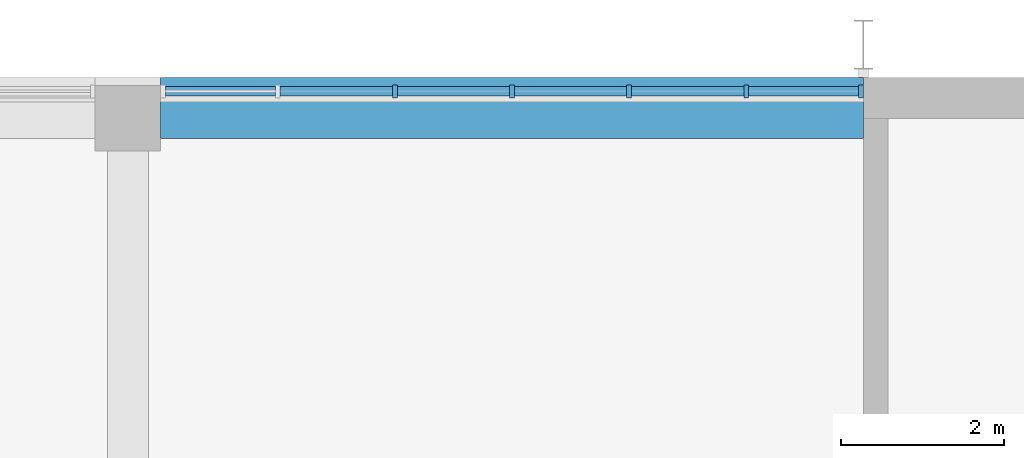
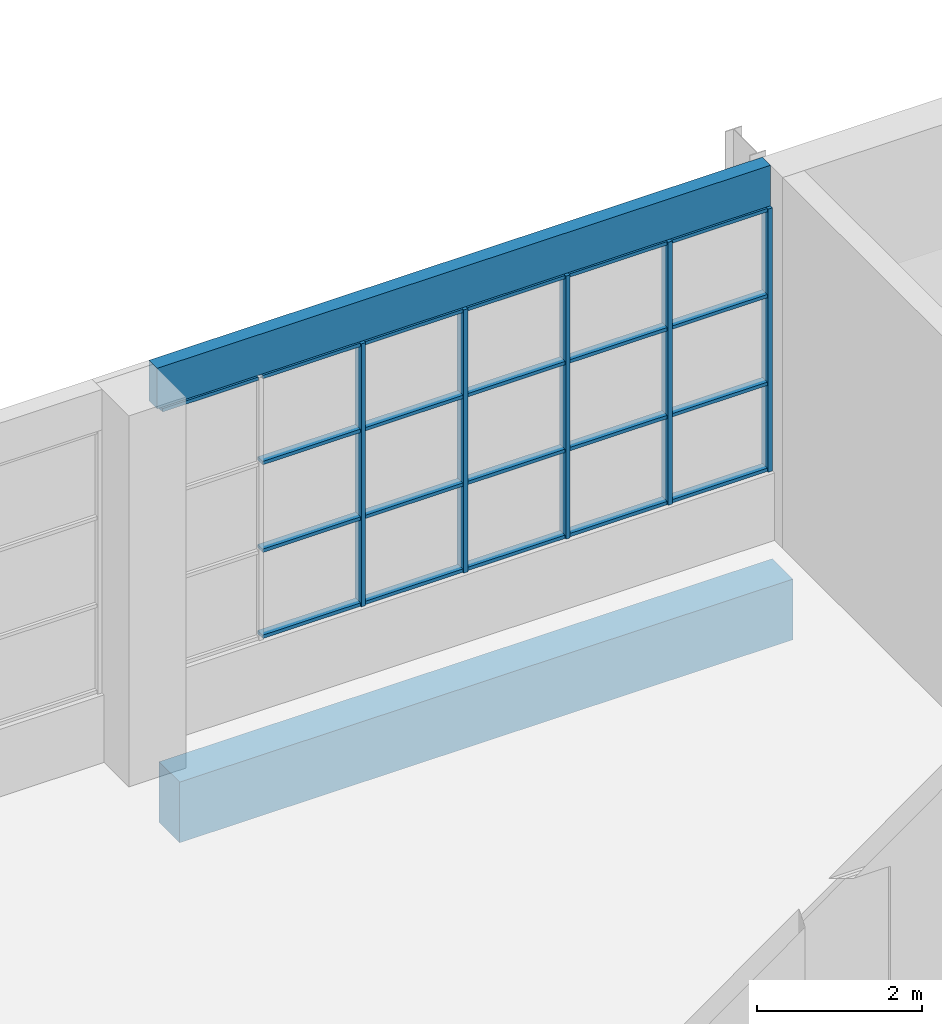
# One storey, part 19 of 84: 26 members, 2 beams, 1 element without a shape of its own.
"""IFC4 building model written with IfcOpenShell, lengths in metres."""

from ifc_helpers import new_model, si_unit, direction, frame, origin, origin_2d, place, context, subcontext, project, spatial, rectangle, extrude, material, material_profile, profile_set, type_object, element, aggregate, save


model = new_model("IFC4")

# Units and contexts
model_context = context("Model", 3, precision=1e-05, world=origin(), true_north=direction((0.0, 1.0)))
body_context = subcontext(model_context, "Body", "Model", "MODEL_VIEW")
ifc_project = project(units=[si_unit("LENGTHUNIT", "METRE"), si_unit("AREAUNIT", "SQUARE_METRE"), si_unit("VOLUMEUNIT", "CUBIC_METRE"), si_unit("PLANEANGLEUNIT", "RADIAN"), si_unit("MASSUNIT", "GRAM", prefix="KILO")], contexts=[model_context])

# Site, building, storey
site_placement = place(None, origin())
site = spatial("IfcSite", under=ifc_project, at=site_placement, CompositionType="ELEMENT")
building_placement = place(site_placement, origin())
building = spatial("IfcBuilding", under=site, at=building_placement, Name="Silverbay Arena", CompositionType="ELEMENT")
storey_placement = place(building_placement, frame((0.0, 0.0, 28.0)))
storey = spatial("IfcBuildingStorey", under=building, at=storey_placement, Name="L04", CompositionType="ELEMENT", Elevation=28.0)

# Curtain wall, members
ifc_material_1 = material(Name="Aluminium framed curtain wall", Category="aluminium")
curtain_wall_type = type_object("IfcCurtainWallType", Name="Curtain wall 8600 x 3900", PredefinedType="NOTDEFINED", material=ifc_material_1)
curtain_wall_placement = place(storey_placement, origin())
curtain_wall = element("IfcCurtainWall", 1, at=curtain_wall_placement, inside=storey, type_object=curtain_wall_type, Name="North curtain wall L04 bay 10", PredefinedType="NOTDEFINED")
ifc_material_2 = material(Name="Aluminium", Category="aluminium")
ifc_material_profile_1 = material_profile(ifc_material_2, rectangle(XDim=0.159912109375, YDim=0.06005859375, at=origin_2d()), Name="Mullion 60 x 160")
ifc_profile_set_1 = profile_set([ifc_material_profile_1], Name="Aluminium")
member_type_1 = type_object("IfcMemberType", Name="Mullion 60 x 160", PredefinedType="MULLION", material=ifc_profile_set_1)
member_1_placement = place(storey_placement, frame((143.969970703125, 144.330078125, 1.0), z_axis=(0.0, 0.0, 1.0), x_axis=(0.0, -1.0, 0.0)))
member_1 = element("IfcMember", 2, at=member_1_placement, type_object=member_type_1, Name="CW1 mullion 1", PredefinedType="MULLION", context=body_context, shape_type="SweptSolid", body=[
    extrude(rectangle(XDim=0.159912109375, YDim=0.06005859375, at=origin_2d()), origin(), (0.0, 0.0, 1.0), 3.89990234375),
])
member_2_placement = place(storey_placement, frame((142.566650390625, 144.330078125, 1.0), z_axis=(0.0, 0.0, 1.0), x_axis=(0.0, -1.0, 0.0)))
member_2 = element("IfcMember", 3, at=member_2_placement, type_object=member_type_1, Name="CW1 mullion 2", PredefinedType="MULLION", context=body_context, shape_type="SweptSolid", body=[
    extrude(rectangle(XDim=0.159912109375, YDim=0.06005859375, at=origin_2d()), origin(), (0.0, 0.0, 1.0), 3.89990234375),
])
member_3_placement = place(storey_placement, frame((141.13330078125, 144.330078125, 1.0), z_axis=(0.0, 0.0, 1.0), x_axis=(0.0, -1.0, 0.0)))
member_3 = element("IfcMember", 4, at=member_3_placement, type_object=member_type_1, Name="CW1 mullion 3", PredefinedType="MULLION", context=body_context, shape_type="SweptSolid", body=[
    extrude(rectangle(XDim=0.159912109375, YDim=0.06005859375, at=origin_2d()), origin(), (0.0, 0.0, 1.0), 3.89990234375),
])
member_4_placement = place(storey_placement, frame((139.699951171875, 144.330078125, 1.0), z_axis=(0.0, 0.0, 1.0), x_axis=(0.0, -1.0, 0.0)))
member_4 = element("IfcMember", 5, at=member_4_placement, type_object=member_type_1, Name="CW1 mullion 4", PredefinedType="MULLION", context=body_context, shape_type="SweptSolid", body=[
    extrude(rectangle(XDim=0.159912109375, YDim=0.06005859375, at=origin_2d()), origin(), (0.0, 0.0, 1.0), 3.89990234375),
])
member_5_placement = place(storey_placement, frame((138.2666015625, 144.330078125, 1.0), z_axis=(0.0, 0.0, 1.0), x_axis=(0.0, -1.0, 0.0)))
member_5 = element("IfcMember", 6, at=member_5_placement, type_object=member_type_1, Name="CW1 mullion 5", PredefinedType="MULLION", context=body_context, shape_type="SweptSolid", body=[
    extrude(rectangle(XDim=0.159912109375, YDim=0.06005859375, at=origin_2d()), origin(), (0.0, 0.0, 1.0), 3.89990234375),
])

# Beams
ifc_material_3 = material(Name="Concrete Grade C45", Category="concrete")
ifc_material_profile_2 = material_profile(ifc_material_3, rectangle(XDim=0.5, YDim=0.89990234375, at=origin_2d()), Name="RC 500x900")
ifc_profile_set_2 = profile_set([ifc_material_profile_2], Name="Concrete Grade C45")
beam_type_1 = type_object("IfcBeamType", Name="RC beam 500x900", PredefinedType="BEAM", material=ifc_profile_set_2)
beam_1_placement = place(storey_placement, frame((135.39990234375, 144.0, -0.75), z_axis=(1.0, 0.0, 0.0), x_axis=(0.0, 1.0, 0.0)))
element("IfcBeam", 7, at=beam_1_placement, inside=storey, type_object=beam_type_1, Name="Floor beam L04 075", PredefinedType="BEAM", context=body_context, shape_type="SweptSolid", body=[
    extrude(rectangle(XDim=0.5, YDim=0.89990234375, at=origin_2d()), origin(), (0.0, 0.0, 1.0), 8.60009765625),
])
ifc_material_4 = material(Name="Concrete Grade C45", Category="concrete")
ifc_material_profile_3 = material_profile(ifc_material_4, rectangle(XDim=0.199951171875, YDim=0.60009765625, at=origin_2d()), Name="RC 200x600")
ifc_profile_set_3 = profile_set([ifc_material_profile_3], Name="Concrete Grade C45")
beam_type_2 = type_object("IfcBeamType", Name="RC facade beam 200x600", PredefinedType="SPANDREL", material=ifc_profile_set_3)
beam_2_placement = place(storey_placement, frame((135.39990234375, 144.39990234375, 5.199951171875), z_axis=(1.0, 0.0, 0.0), x_axis=(0.0, 1.0, 0.0)))
element("IfcBeam", 8, at=beam_2_placement, inside=storey, type_object=beam_type_2, Name="Facade beam L04 north", PredefinedType="SPANDREL", context=body_context, shape_type="SweptSolid", body=[
    extrude(rectangle(XDim=0.199951171875, YDim=0.60009765625, at=origin_2d()), origin(), (0.0, 0.0, 1.0), 8.60009765625),
])

# Member
ifc_material_5 = material(Name="Aluminium", Category="aluminium")
ifc_material_profile_4 = material_profile(ifc_material_5, rectangle(XDim=0.1201171875, YDim=0.050048828125, at=origin_2d()), Name="Transom 50 x 120")
ifc_profile_set_4 = profile_set([ifc_material_profile_4], Name="Aluminium")
member_type_2 = type_object("IfcMemberType", Name="Transom 50 x 120", PredefinedType="USERDEFINED", material=ifc_profile_set_4)
member_6_placement = place(storey_placement, frame((143.93994140625, 144.330078125, 1.02490234375), z_axis=(-1.0, 0.0, 0.0), x_axis=(0.0, -1.0, 0.0)))
member_6 = element("IfcMember", 9, at=member_6_placement, type_object=member_type_2, Name="CW1 transom 1.1", ObjectType="TRANSOM", PredefinedType="USERDEFINED", context=body_context, shape_type="SweptSolid", body=[
    extrude(rectangle(XDim=0.1201171875, YDim=0.050048828125, at=origin_2d()), origin(), (0.0, 0.0, 1.0), 1.34326171875),
])

member_7_placement = place(storey_placement, frame((143.93994140625, 144.330078125, 2.300048828125), z_axis=(-1.0, 0.0, 0.0), x_axis=(0.0, -1.0, 0.0)))
member_7 = element("IfcMember", 10, at=member_7_placement, type_object=member_type_2, Name="CW1 transom 1.2", ObjectType="TRANSOM", PredefinedType="USERDEFINED", context=body_context, shape_type="SweptSolid", body=[
    extrude(rectangle(XDim=0.1201171875, YDim=0.050048828125, at=origin_2d()), origin(), (0.0, 0.0, 1.0), 1.34326171875),
])

member_8_placement = place(storey_placement, frame((143.93994140625, 144.330078125, 3.60009765625), z_axis=(-1.0, 0.0, 0.0), x_axis=(0.0, -1.0, 0.0)))
member_8 = element("IfcMember", 11, at=member_8_placement, type_object=member_type_2, Name="CW1 transom 1.3", ObjectType="TRANSOM", PredefinedType="USERDEFINED", context=body_context, shape_type="SweptSolid", body=[
    extrude(rectangle(XDim=0.1201171875, YDim=0.050048828125, at=origin_2d()), origin(), (0.0, 0.0, 1.0), 1.34326171875),
])

member_9_placement = place(storey_placement, frame((143.93994140625, 144.330078125, 4.875), z_axis=(-1.0, 0.0, 0.0), x_axis=(0.0, -1.0, 0.0)))
member_9 = element("IfcMember", 12, at=member_9_placement, type_object=member_type_2, Name="CW1 transom 1.4", ObjectType="TRANSOM", PredefinedType="USERDEFINED", context=body_context, shape_type="SweptSolid", body=[
    extrude(rectangle(XDim=0.1201171875, YDim=0.050048828125, at=origin_2d()), origin(), (0.0, 0.0, 1.0), 1.34326171875),
])

member_10_placement = place(storey_placement, frame((142.53662109375, 144.330078125, 1.02490234375), z_axis=(-1.0, 0.0, 0.0), x_axis=(0.0, -1.0, 0.0)))
member_10 = element("IfcMember", 13, at=member_10_placement, type_object=member_type_2, Name="CW1 transom 2.1", ObjectType="TRANSOM", PredefinedType="USERDEFINED", context=body_context, shape_type="SweptSolid", body=[
    extrude(rectangle(XDim=0.1201171875, YDim=0.050048828125, at=origin_2d()), origin(), (0.0, 0.0, 1.0), 1.373291015625),
])

member_11_placement = place(storey_placement, frame((142.53662109375, 144.330078125, 2.300048828125), z_axis=(-1.0, 0.0, 0.0), x_axis=(0.0, -1.0, 0.0)))
member_11 = element("IfcMember", 14, at=member_11_placement, type_object=member_type_2, Name="CW1 transom 2.2", ObjectType="TRANSOM", PredefinedType="USERDEFINED", context=body_context, shape_type="SweptSolid", body=[
    extrude(rectangle(XDim=0.1201171875, YDim=0.050048828125, at=origin_2d()), origin(), (0.0, 0.0, 1.0), 1.373291015625),
])

member_12_placement = place(storey_placement, frame((142.53662109375, 144.330078125, 3.60009765625), z_axis=(-1.0, 0.0, 0.0), x_axis=(0.0, -1.0, 0.0)))
member_12 = element("IfcMember", 15, at=member_12_placement, type_object=member_type_2, Name="CW1 transom 2.3", ObjectType="TRANSOM", PredefinedType="USERDEFINED", context=body_context, shape_type="SweptSolid", body=[
    extrude(rectangle(XDim=0.1201171875, YDim=0.050048828125, at=origin_2d()), origin(), (0.0, 0.0, 1.0), 1.373291015625),
])

member_13_placement = place(storey_placement, frame((142.53662109375, 144.330078125, 4.875), z_axis=(-1.0, 0.0, 0.0), x_axis=(0.0, -1.0, 0.0)))
member_13 = element("IfcMember", 16, at=member_13_placement, type_object=member_type_2, Name="CW1 transom 2.4", ObjectType="TRANSOM", PredefinedType="USERDEFINED", context=body_context, shape_type="SweptSolid", body=[
    extrude(rectangle(XDim=0.1201171875, YDim=0.050048828125, at=origin_2d()), origin(), (0.0, 0.0, 1.0), 1.373291015625),
])

member_14_placement = place(storey_placement, frame((141.103271484375, 144.330078125, 1.02490234375), z_axis=(-1.0, 0.0, 0.0), x_axis=(0.0, -1.0, 0.0)))
member_14 = element("IfcMember", 17, at=member_14_placement, type_object=member_type_2, Name="CW1 transom 3.1", ObjectType="TRANSOM", PredefinedType="USERDEFINED", context=body_context, shape_type="SweptSolid", body=[
    extrude(rectangle(XDim=0.1201171875, YDim=0.050048828125, at=origin_2d()), origin(), (0.0, 0.0, 1.0), 1.373291015625),
])

member_15_placement = place(storey_placement, frame((141.103271484375, 144.330078125, 2.300048828125), z_axis=(-1.0, 0.0, 0.0), x_axis=(0.0, -1.0, 0.0)))
member_15 = element("IfcMember", 18, at=member_15_placement, type_object=member_type_2, Name="CW1 transom 3.2", ObjectType="TRANSOM", PredefinedType="USERDEFINED", context=body_context, shape_type="SweptSolid", body=[
    extrude(rectangle(XDim=0.1201171875, YDim=0.050048828125, at=origin_2d()), origin(), (0.0, 0.0, 1.0), 1.373291015625),
])

member_16_placement = place(storey_placement, frame((141.103271484375, 144.330078125, 3.60009765625), z_axis=(-1.0, 0.0, 0.0), x_axis=(0.0, -1.0, 0.0)))
member_16 = element("IfcMember", 19, at=member_16_placement, type_object=member_type_2, Name="CW1 transom 3.3", ObjectType="TRANSOM", PredefinedType="USERDEFINED", context=body_context, shape_type="SweptSolid", body=[
    extrude(rectangle(XDim=0.1201171875, YDim=0.050048828125, at=origin_2d()), origin(), (0.0, 0.0, 1.0), 1.373291015625),
])

member_17_placement = place(storey_placement, frame((141.103271484375, 144.330078125, 4.875), z_axis=(-1.0, 0.0, 0.0), x_axis=(0.0, -1.0, 0.0)))
member_17 = element("IfcMember", 20, at=member_17_placement, type_object=member_type_2, Name="CW1 transom 3.4", ObjectType="TRANSOM", PredefinedType="USERDEFINED", context=body_context, shape_type="SweptSolid", body=[
    extrude(rectangle(XDim=0.1201171875, YDim=0.050048828125, at=origin_2d()), origin(), (0.0, 0.0, 1.0), 1.373291015625),
])

member_18_placement = place(storey_placement, frame((139.669921875, 144.330078125, 1.02490234375), z_axis=(-1.0, 0.0, 0.0), x_axis=(0.0, -1.0, 0.0)))
member_18 = element("IfcMember", 21, at=member_18_placement, type_object=member_type_2, Name="CW1 transom 4.1", ObjectType="TRANSOM", PredefinedType="USERDEFINED", context=body_context, shape_type="SweptSolid", body=[
    extrude(rectangle(XDim=0.1201171875, YDim=0.050048828125, at=origin_2d()), origin(), (0.0, 0.0, 1.0), 1.373291015625),
])

member_19_placement = place(storey_placement, frame((139.669921875, 144.330078125, 2.300048828125), z_axis=(-1.0, 0.0, 0.0), x_axis=(0.0, -1.0, 0.0)))
member_19 = element("IfcMember", 22, at=member_19_placement, type_object=member_type_2, Name="CW1 transom 4.2", ObjectType="TRANSOM", PredefinedType="USERDEFINED", context=body_context, shape_type="SweptSolid", body=[
    extrude(rectangle(XDim=0.1201171875, YDim=0.050048828125, at=origin_2d()), origin(), (0.0, 0.0, 1.0), 1.373291015625),
])

member_20_placement = place(storey_placement, frame((139.669921875, 144.330078125, 3.60009765625), z_axis=(-1.0, 0.0, 0.0), x_axis=(0.0, -1.0, 0.0)))
member_20 = element("IfcMember", 23, at=member_20_placement, type_object=member_type_2, Name="CW1 transom 4.3", ObjectType="TRANSOM", PredefinedType="USERDEFINED", context=body_context, shape_type="SweptSolid", body=[
    extrude(rectangle(XDim=0.1201171875, YDim=0.050048828125, at=origin_2d()), origin(), (0.0, 0.0, 1.0), 1.373291015625),
])

member_21_placement = place(storey_placement, frame((139.669921875, 144.330078125, 4.875), z_axis=(-1.0, 0.0, 0.0), x_axis=(0.0, -1.0, 0.0)))
member_21 = element("IfcMember", 24, at=member_21_placement, type_object=member_type_2, Name="CW1 transom 4.4", ObjectType="TRANSOM", PredefinedType="USERDEFINED", context=body_context, shape_type="SweptSolid", body=[
    extrude(rectangle(XDim=0.1201171875, YDim=0.050048828125, at=origin_2d()), origin(), (0.0, 0.0, 1.0), 1.373291015625),
])

member_22_placement = place(storey_placement, frame((138.236572265625, 144.330078125, 1.02490234375), z_axis=(-1.0, 0.0, 0.0), x_axis=(0.0, -1.0, 0.0)))
member_22 = element("IfcMember", 25, at=member_22_placement, type_object=member_type_2, Name="CW1 transom 5.1", ObjectType="TRANSOM", PredefinedType="USERDEFINED", context=body_context, shape_type="SweptSolid", body=[
    extrude(rectangle(XDim=0.1201171875, YDim=0.050048828125, at=origin_2d()), origin(), (0.0, 0.0, 1.0), 1.373291015625),
])

member_23_placement = place(storey_placement, frame((138.236572265625, 144.330078125, 2.300048828125), z_axis=(-1.0, 0.0, 0.0), x_axis=(0.0, -1.0, 0.0)))
member_23 = element("IfcMember", 26, at=member_23_placement, type_object=member_type_2, Name="CW1 transom 5.2", ObjectType="TRANSOM", PredefinedType="USERDEFINED", context=body_context, shape_type="SweptSolid", body=[
    extrude(rectangle(XDim=0.1201171875, YDim=0.050048828125, at=origin_2d()), origin(), (0.0, 0.0, 1.0), 1.373291015625),
])

member_24_placement = place(storey_placement, frame((138.236572265625, 144.330078125, 3.60009765625), z_axis=(-1.0, 0.0, 0.0), x_axis=(0.0, -1.0, 0.0)))
member_24 = element("IfcMember", 27, at=member_24_placement, type_object=member_type_2, Name="CW1 transom 5.3", ObjectType="TRANSOM", PredefinedType="USERDEFINED", context=body_context, shape_type="SweptSolid", body=[
    extrude(rectangle(XDim=0.1201171875, YDim=0.050048828125, at=origin_2d()), origin(), (0.0, 0.0, 1.0), 1.373291015625),
])

member_25_placement = place(storey_placement, frame((138.236572265625, 144.330078125, 4.875), z_axis=(-1.0, 0.0, 0.0), x_axis=(0.0, -1.0, 0.0)))
member_25 = element("IfcMember", 28, at=member_25_placement, type_object=member_type_2, Name="CW1 transom 5.4", ObjectType="TRANSOM", PredefinedType="USERDEFINED", context=body_context, shape_type="SweptSolid", body=[
    extrude(rectangle(XDim=0.1201171875, YDim=0.050048828125, at=origin_2d()), origin(), (0.0, 0.0, 1.0), 1.373291015625),
])

member_26_placement = place(storey_placement, frame((136.80322265625, 144.330078125, 4.875), z_axis=(-1.0, 0.0, 0.0), x_axis=(0.0, -1.0, 0.0)))
member_26 = element("IfcMember", 29, at=member_26_placement, type_object=member_type_2, Name="CW1 transom 6.4", ObjectType="TRANSOM", PredefinedType="USERDEFINED", context=body_context, shape_type="SweptSolid", body=[
    extrude(rectangle(XDim=0.1201171875, YDim=0.050048828125, at=origin_2d()), origin(), (0.0, 0.0, 1.0), 1.34326171875),
])

aggregate(curtain_wall, [member_1, member_2, member_3, member_4, member_5, member_6, member_7, member_8, member_9, member_10, member_11, member_12, member_13, member_14, member_15, member_16, member_17, member_18, member_19, member_20, member_21, member_22, member_23, member_24, member_25, member_26])

save(model, "model.ifc")
